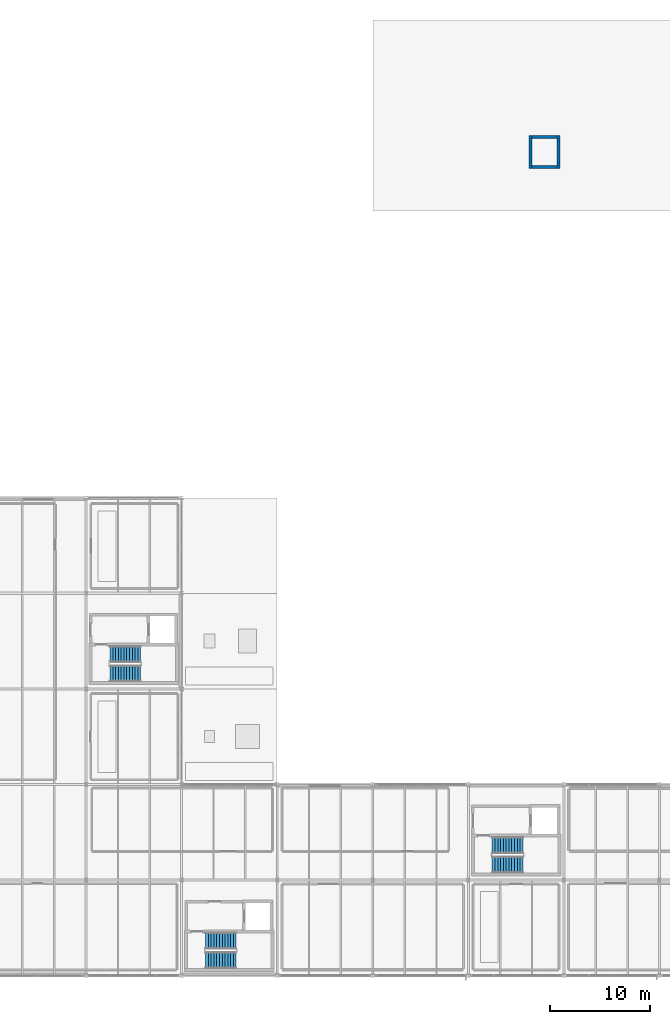
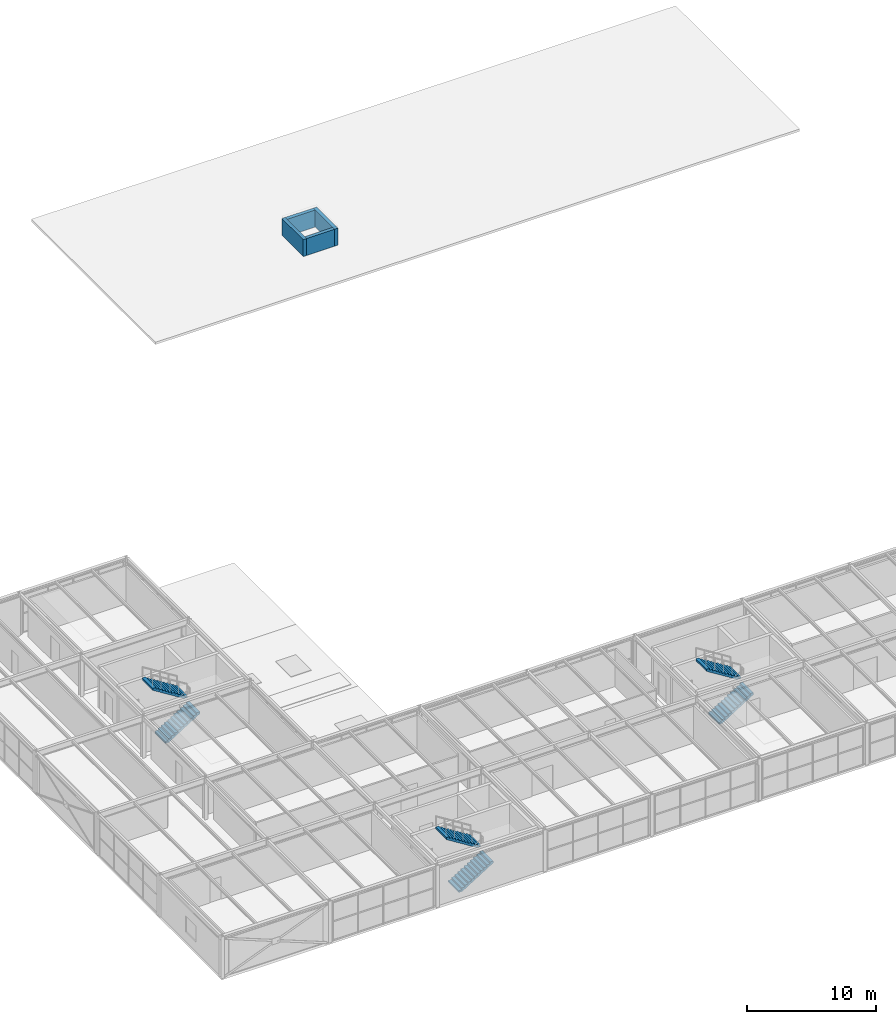
# One storey, part 46 of 50: 6 stair flights, 4 walls, 3 elements without a shape of their own.
"""IFC4 building model written with IfcOpenShell, lengths in metres."""

from ifc_helpers import new_model, si_unit, direction, frame, frame_2d, origin, place, context, subcontext, project, spatial, polyline, rectangle, outline, extrude, material, layer, layer_set, type_object, element, aggregate, save


model = new_model("IFC4")

# Units and contexts
model_context = context("Model", 3, precision=1e-05, world=origin(), true_north=direction((0.0, 1.0)))
body_context = subcontext(model_context, "Body", "Model", "MODEL_VIEW")
ifc_project = project(units=[si_unit("LENGTHUNIT", "METRE"), si_unit("AREAUNIT", "SQUARE_METRE"), si_unit("VOLUMEUNIT", "CUBIC_METRE"), si_unit("PLANEANGLEUNIT", "RADIAN"), si_unit("MASSUNIT", "GRAM", prefix="KILO")], contexts=[model_context])

# Site, building, storey
site_placement = place(None, origin())
site = spatial("IfcSite", under=ifc_project, at=site_placement, CompositionType="ELEMENT")
building_placement = place(site_placement, origin())
building = spatial("IfcBuilding", under=site, at=building_placement, Name="Coralgate Yard Interchange", CompositionType="ELEMENT")
storey_placement = place(building_placement, frame((0.0, 0.0, 14.699951171875)))
storey = spatial("IfcBuildingStorey", under=building, at=storey_placement, Name="L03", CompositionType="ELEMENT", Elevation=14.699951171875)

# Walls
ifc_material = material(Name="Concrete C40/50", Category="concrete")
ifc_layer = layer(ifc_material, 0.300048828125)
ifc_layer_set = layer_set([ifc_layer], Name="Concrete C40/50")
wall_type = type_object("IfcWallType", Name="WAL-CW300", PredefinedType="SHEAR", material=ifc_layer_set)
for number, where, z_axis, x_axis, name in (
    (1, (54.25, 81.10009765625, 0.0), (0.0, 0.0, 1.0), (0.0, 1.0, 0.0), "LF-03 lift overrun wall W"),
    (2, (57.050048828125, 81.10009765625, 0.0), (0.0, 0.0, 1.0), (0.0, 1.0, 0.0), "LF-03 lift overrun wall E"),
):
    element("IfcWall", number, at=place(storey_placement, frame(where, z_axis=z_axis, x_axis=x_axis)), inside=storey, type_object=wall_type, Name=name, PredefinedType="SHEAR", context=body_context, shape_type="SweptSolid", body=[
        extrude(rectangle(XDim=3.2998046875, YDim=0.300048828125, at=frame_2d((1.64990234375, 0.0))), origin(), (0.0, 0.0, 1.0), 1.60009765625),
    ])
for number, where, z_axis, x_axis, name in (
    (3, (54.39990234375, 81.25, 0.0), (0.0, 0.0, 1.0), (1.0, 0.0, 0.0), "LF-03 lift overrun wall S"),
    (4, (54.39990234375, 84.25, 0.0), (0.0, 0.0, 1.0), (1.0, 0.0, 0.0), "LF-03 lift overrun wall N"),
):
    element("IfcWall", number, at=place(storey_placement, frame(where, z_axis=z_axis, x_axis=x_axis)), inside=storey, type_object=wall_type, Name=name, PredefinedType="SHEAR", context=body_context, shape_type="SweptSolid", body=[
        extrude(rectangle(XDim=2.5, YDim=0.300048828125, at=frame_2d((1.25, 0.0))), origin(), (0.0, 0.0, 1.0), 1.60009765625),
    ])

# Stair, stair flights
stair_type = type_object("IfcStairType", Name="STR-DL-165-42", PredefinedType="HALF_TURN_STAIR", material=ifc_material)
stair_1_placement = place(storey_placement, origin())
stair_1 = element("IfcStair", 5, at=stair_1_placement, inside=storey, type_object=stair_type, Name="L03 Escape stair ST-01", PredefinedType="HALF_TURN_STAIR")
stair_flight_type = type_object("IfcStairFlightType", Name="STF-DL-165-42", PredefinedType="STRAIGHT", material=ifc_material)
stair_flight_1_placement = place(storey_placement, frame((12.0, 30.344970703125, 0.0), z_axis=(0.0, 0.0, 1.0), x_axis=(1.0, 0.0, 0.0)))
stair_flight_1 = element("IfcStairFlight", 6, at=stair_flight_1_placement, type_object=stair_flight_type, Name="ST-01 flight 1", NumberOfRisers=12, NumberOfTreads=11, PredefinedType="STRAIGHT", RiserHeight=0.175, TreadLength=0.28, context=body_context, shape_type="SweptSolid", body=[
    extrude(outline(polyline([(0.0, 0.0), (0.0, 0.175048828125), (0.280029296875, 0.175048828125), (0.280029296875, 0.35009765625), (0.56005859375, 0.35009765625), (0.56005859375, 0.52490234375), (0.840087890625, 0.52490234375), (0.840087890625, 0.699951171875), (1.1201171875, 0.699951171875), (1.1201171875, 0.875), (1.39990234375, 0.875), (1.39990234375, 1.050048828125), (1.679931640625, 1.050048828125), (1.679931640625, 1.22509765625), (1.9599609375, 1.22509765625), (1.9599609375, 1.39990234375), (2.239990234375, 1.39990234375), (2.239990234375, 1.574951171875), (2.52001953125, 1.574951171875), (2.52001953125, 1.75), (2.800048828125, 1.75), (2.800048828125, 1.925048828125), (3.080078125, 1.925048828125), (3.080078125, 2.10009765625), (3.080078125, 1.736328125), (0.3017578125, 0.0), (0.0, 0.0)])), frame((0.0, 0.824951171875, 0.0), z_axis=(0.0, -1.0, 0.0), x_axis=(1.0, 0.0, 0.0)), (0.0, 0.0, 1.0), 1.64990234375),
])
stair_flight_2_placement = place(storey_placement, frame((15.080078125, 32.284912109375, 2.10009765625), z_axis=(0.0, 0.0, 1.0), x_axis=(-1.0, 0.0, 0.0)))
stair_flight_2 = element("IfcStairFlight", 7, at=stair_flight_2_placement, type_object=stair_flight_type, Name="ST-01 flight 2", NumberOfRisers=12, NumberOfTreads=11, PredefinedType="STRAIGHT", RiserHeight=0.175, TreadLength=0.28, context=body_context, shape_type="SweptSolid", body=[
    extrude(outline(polyline([(0.0, 0.0), (0.0, 0.175048828125), (0.280029296875, 0.175048828125), (0.280029296875, 0.35009765625), (0.56005859375, 0.35009765625), (0.56005859375, 0.52490234375), (0.840087890625, 0.52490234375), (0.840087890625, 0.699951171875), (1.1201171875, 0.699951171875), (1.1201171875, 0.875), (1.39990234375, 0.875), (1.39990234375, 1.050048828125), (1.679931640625, 1.050048828125), (1.679931640625, 1.22509765625), (1.9599609375, 1.22509765625), (1.9599609375, 1.39990234375), (2.239990234375, 1.39990234375), (2.239990234375, 1.574951171875), (2.52001953125, 1.574951171875), (2.52001953125, 1.75), (2.800048828125, 1.75), (2.800048828125, 1.925048828125), (3.080078125, 1.925048828125), (3.080078125, 2.10009765625), (3.080078125, 1.736328125), (0.3017578125, 0.0), (0.0, 0.0)])), frame((0.0, 0.824951171875, 0.0), z_axis=(0.0, -1.0, 0.0), x_axis=(1.0, 0.0, 0.0)), (0.0, 0.0, 1.0), 1.64990234375),
])
aggregate(stair_1, [stair_flight_1, stair_flight_2])

stair_2_placement = place(storey_placement, origin())
stair_2 = element("IfcStair", 8, at=stair_2_placement, inside=storey, type_object=stair_type, Name="L03 Escape stair ST-02", PredefinedType="HALF_TURN_STAIR")
stair_flight_3_placement = place(storey_placement, frame((50.39990234375, 11.14501953125, 0.0), z_axis=(0.0, 0.0, 1.0), x_axis=(1.0, 0.0, 0.0)))
stair_flight_3 = element("IfcStairFlight", 9, at=stair_flight_3_placement, type_object=stair_flight_type, Name="ST-02 flight 1", NumberOfRisers=12, NumberOfTreads=11, PredefinedType="STRAIGHT", RiserHeight=0.175, TreadLength=0.28, context=body_context, shape_type="SweptSolid", body=[
    extrude(outline(polyline([(0.0, 0.0), (0.0, 0.175048828125), (0.280029296875, 0.175048828125), (0.280029296875, 0.35009765625), (0.56005859375, 0.35009765625), (0.56005859375, 0.52490234375), (0.840087890625, 0.52490234375), (0.840087890625, 0.699951171875), (1.1201171875, 0.699951171875), (1.1201171875, 0.875), (1.39990234375, 0.875), (1.39990234375, 1.050048828125), (1.679931640625, 1.050048828125), (1.679931640625, 1.22509765625), (1.9599609375, 1.22509765625), (1.9599609375, 1.39990234375), (2.239990234375, 1.39990234375), (2.239990234375, 1.574951171875), (2.52001953125, 1.574951171875), (2.52001953125, 1.75), (2.800048828125, 1.75), (2.800048828125, 1.925048828125), (3.080078125, 1.925048828125), (3.080078125, 2.10009765625), (3.080078125, 1.736328125), (0.3017578125, 0.0), (0.0, 0.0)])), frame((0.0, 0.824951171875, 0.0), z_axis=(0.0, -1.0, 0.0), x_axis=(1.0, 0.0, 0.0)), (0.0, 0.0, 1.0), 1.64990234375),
])
stair_flight_4_placement = place(storey_placement, frame((53.47998046875, 13.0849609375, 2.10009765625), z_axis=(0.0, 0.0, 1.0), x_axis=(-1.0, 0.0, 0.0)))
stair_flight_4 = element("IfcStairFlight", 10, at=stair_flight_4_placement, type_object=stair_flight_type, Name="ST-02 flight 2", NumberOfRisers=12, NumberOfTreads=11, PredefinedType="STRAIGHT", RiserHeight=0.175, TreadLength=0.28, context=body_context, shape_type="SweptSolid", body=[
    extrude(outline(polyline([(0.0, 0.0), (0.0, 0.175048828125), (0.280029296875, 0.175048828125), (0.280029296875, 0.35009765625), (0.56005859375, 0.35009765625), (0.56005859375, 0.52490234375), (0.840087890625, 0.52490234375), (0.840087890625, 0.699951171875), (1.1201171875, 0.699951171875), (1.1201171875, 0.875), (1.39990234375, 0.875), (1.39990234375, 1.050048828125), (1.679931640625, 1.050048828125), (1.679931640625, 1.22509765625), (1.9599609375, 1.22509765625), (1.9599609375, 1.39990234375), (2.239990234375, 1.39990234375), (2.239990234375, 1.574951171875), (2.52001953125, 1.574951171875), (2.52001953125, 1.75), (2.800048828125, 1.75), (2.800048828125, 1.925048828125), (3.080078125, 1.925048828125), (3.080078125, 2.10009765625), (3.080078125, 1.736328125), (0.3017578125, 0.0), (0.0, 0.0)])), frame((0.0, 0.824951171875, 0.0), z_axis=(0.0, -1.0, 0.0), x_axis=(1.0, 0.0, 0.0)), (0.0, 0.0, 1.0), 1.64990234375),
])
aggregate(stair_2, [stair_flight_3, stair_flight_4])

stair_3_placement = place(storey_placement, origin())
stair_3 = element("IfcStair", 11, at=stair_3_placement, inside=storey, type_object=stair_type, Name="L03 Escape stair ST-03", PredefinedType="HALF_TURN_STAIR")
stair_flight_5_placement = place(storey_placement, frame((21.60009765625, 1.544921875, 0.0), z_axis=(0.0, 0.0, 1.0), x_axis=(1.0, 0.0, 0.0)))
stair_flight_5 = element("IfcStairFlight", 12, at=stair_flight_5_placement, type_object=stair_flight_type, Name="ST-03 flight 1", NumberOfRisers=12, NumberOfTreads=11, PredefinedType="STRAIGHT", RiserHeight=0.175, TreadLength=0.28, context=body_context, shape_type="SweptSolid", body=[
    extrude(outline(polyline([(0.0, 0.0), (0.0, 0.175048828125), (0.280029296875, 0.175048828125), (0.280029296875, 0.35009765625), (0.56005859375, 0.35009765625), (0.56005859375, 0.52490234375), (0.840087890625, 0.52490234375), (0.840087890625, 0.699951171875), (1.1201171875, 0.699951171875), (1.1201171875, 0.875), (1.39990234375, 0.875), (1.39990234375, 1.050048828125), (1.679931640625, 1.050048828125), (1.679931640625, 1.22509765625), (1.9599609375, 1.22509765625), (1.9599609375, 1.39990234375), (2.239990234375, 1.39990234375), (2.239990234375, 1.574951171875), (2.52001953125, 1.574951171875), (2.52001953125, 1.75), (2.800048828125, 1.75), (2.800048828125, 1.925048828125), (3.080078125, 1.925048828125), (3.080078125, 2.10009765625), (3.080078125, 1.736328125), (0.3017578125, 0.0), (0.0, 0.0)])), frame((0.0, 0.824951171875, 0.0), z_axis=(0.0, -1.0, 0.0), x_axis=(1.0, 0.0, 0.0)), (0.0, 0.0, 1.0), 1.64990234375),
])
stair_flight_6_placement = place(storey_placement, frame((24.679931640625, 3.485107421875, 2.10009765625), z_axis=(0.0, 0.0, 1.0), x_axis=(-1.0, 0.0, 0.0)))
stair_flight_6 = element("IfcStairFlight", 13, at=stair_flight_6_placement, type_object=stair_flight_type, Name="ST-03 flight 2", NumberOfRisers=12, NumberOfTreads=11, PredefinedType="STRAIGHT", RiserHeight=0.175, TreadLength=0.28, context=body_context, shape_type="SweptSolid", body=[
    extrude(outline(polyline([(0.0, 0.0), (0.0, 0.175048828125), (0.280029296875, 0.175048828125), (0.280029296875, 0.35009765625), (0.56005859375, 0.35009765625), (0.56005859375, 0.52490234375), (0.840087890625, 0.52490234375), (0.840087890625, 0.699951171875), (1.1201171875, 0.699951171875), (1.1201171875, 0.875), (1.39990234375, 0.875), (1.39990234375, 1.050048828125), (1.679931640625, 1.050048828125), (1.679931640625, 1.22509765625), (1.9599609375, 1.22509765625), (1.9599609375, 1.39990234375), (2.239990234375, 1.39990234375), (2.239990234375, 1.574951171875), (2.52001953125, 1.574951171875), (2.52001953125, 1.75), (2.800048828125, 1.75), (2.800048828125, 1.925048828125), (3.080078125, 1.925048828125), (3.080078125, 2.10009765625), (3.080078125, 1.736328125), (0.3017578125, 0.0), (0.0, 0.0)])), frame((0.0, 0.824951171875, 0.0), z_axis=(0.0, -1.0, 0.0), x_axis=(1.0, 0.0, 0.0)), (0.0, 0.0, 1.0), 1.64990234375),
])
aggregate(stair_3, [stair_flight_5, stair_flight_6])

save(model, "model.ifc")
